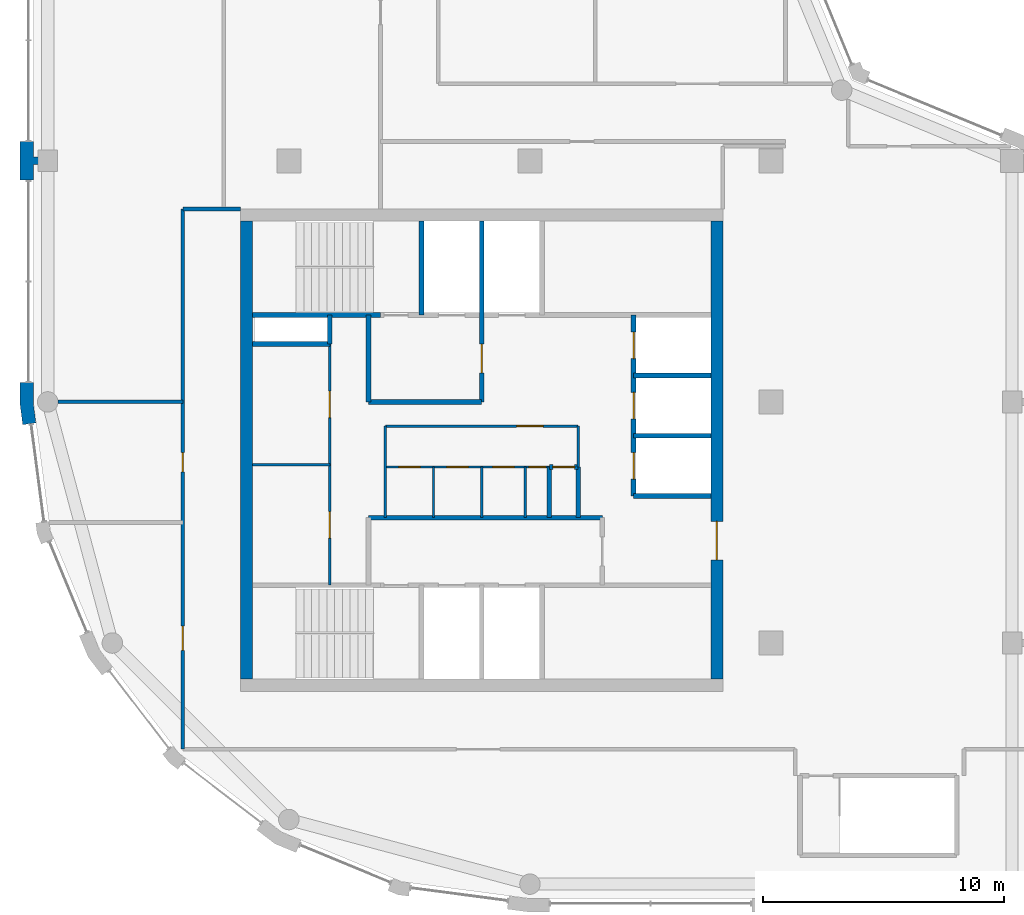
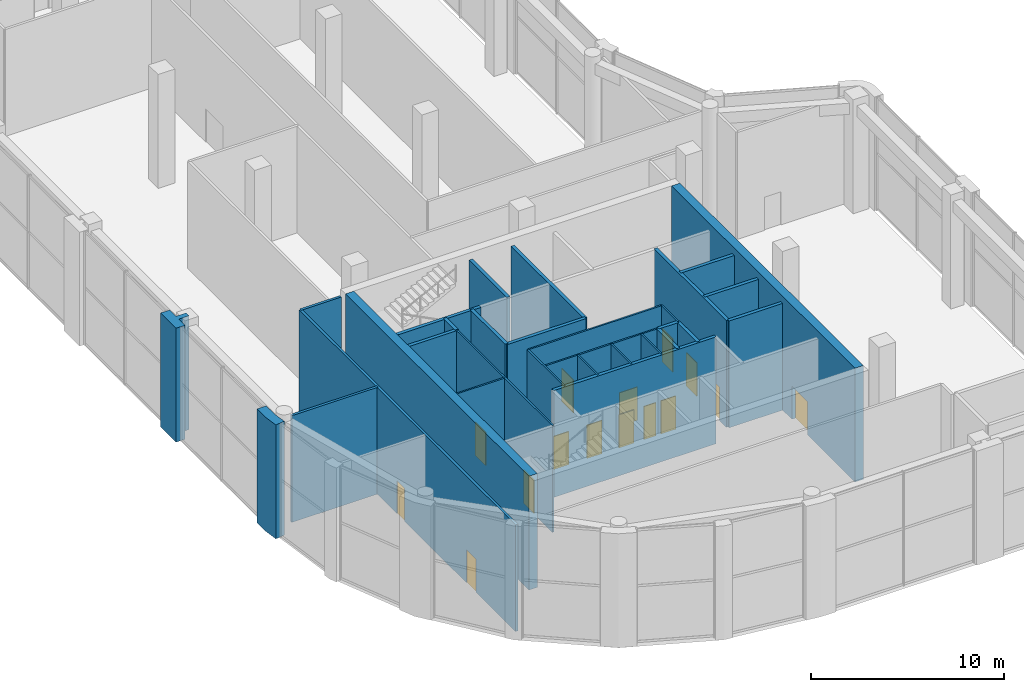
# One storey, part 11 of 14: 31 walls, 15 doors, 15 openings.
"""IFC4 building model written with IfcOpenShell, lengths in metres."""

from ifc_helpers import new_model, si_unit, direction, frame, frame_2d, origin, place, context, subcontext, project, spatial, polyline, rectangle, outline, extrude, material, layer, layer_set, type_object, element, fill, save


model = new_model("IFC4")

# Units and contexts
model_context = context("Model", 3, precision=1e-05, world=origin(), true_north=direction((0.0, 1.0)))
body_context = subcontext(model_context, "Body", "Model", "MODEL_VIEW")
ifc_project = project(units=[si_unit("LENGTHUNIT", "METRE"), si_unit("AREAUNIT", "SQUARE_METRE"), si_unit("VOLUMEUNIT", "CUBIC_METRE"), si_unit("PLANEANGLEUNIT", "RADIAN"), si_unit("MASSUNIT", "GRAM", prefix="KILO")], contexts=[model_context])

# Site, building, storey
site_placement = place(None, origin())
site = spatial("IfcSite", under=ifc_project, at=site_placement, CompositionType="ELEMENT")
building_placement = place(site_placement, origin())
building = spatial("IfcBuilding", under=site, at=building_placement, Name="Qaws Garden Tower", CompositionType="ELEMENT")
storey_placement = place(building_placement, frame((0.0, 0.0, 358.199951171875)))
storey = spatial("IfcBuildingStorey", under=building, at=storey_placement, Name="L87", CompositionType="ELEMENT", Elevation=358.199951171875)

# Walls
ifc_material_1 = material(Name="Clay facing brick masonry", Category="masonry")
ifc_layer_1 = layer(ifc_material_1, 0.550048828125)
ifc_layer_set_1 = layer_set([ifc_layer_1], Name="Clay facing brick masonry")
wall_type_1 = type_object("IfcWallType", Name="Brick pier 550 x 1600", PredefinedType="SOLIDWALL", material=ifc_layer_set_1)
placement = place(storey_placement, origin())
element("IfcWall", 1, at=placement, inside=storey, type_object=wall_type_1, Name="E-L87-pier-20", PredefinedType="SOLIDWALL", context=body_context, shape_type="SweptSolid", body=[
    extrude(outline(polyline([(-0.60009765625, 29.199951171875), (-0.60009765625, 29.85009765625), (0.0, 29.85009765625), (0.0, 30.14990234375), (-0.60009765625, 30.14990234375), (-0.60009765625, 30.800048828125), (-1.0, 30.800048828125), (-1.14990234375, 30.800048828125), (-1.14990234375, 30.0), (-1.14990234375, 29.199951171875), (-1.0, 29.199951171875), (-0.60009765625, 29.199951171875)])), origin(), (0.0, 0.0, 1.0), 7.199951171875),
])
element("IfcWall", 2, at=placement, inside=storey, type_object=wall_type_1, Name="E-L87-pier-21", PredefinedType="SOLIDWALL", context=body_context, shape_type="SweptSolid", body=[
    extrude(outline(polyline([(-1.0, 20.800048828125), (-1.14990234375, 20.800048828125), (-1.14990234375, 19.924560546875), (-1.03564453125, 19.056640625), (-0.886962890625, 19.076416015625), (-0.490478515625, 19.12841796875), (-0.60009765625, 19.960693359375), (-0.60009765625, 20.800048828125), (-1.0, 20.800048828125)])), origin(), (0.0, 0.0, 1.0), 7.199951171875),
])

# Wall, openings, doors
ifc_material_2 = material(Name="Plasterboard")
ifc_layer_2 = layer(ifc_material_2, 0.10009765625)
ifc_layer_set_2 = layer_set([ifc_layer_2], Name="Plasterboard")
wall_type_2 = type_object("IfcWallType", Name="Core partition 100", PredefinedType="PARTITIONING", material=ifc_layer_set_2)
wall_3_placement = place(storey_placement, frame((14.0, 17.300048828125, 0.0), z_axis=(0.0, 0.0, 1.0), x_axis=(1.0, 0.0, 0.0)))
wall_3 = element("IfcWall", 3, at=wall_3_placement, inside=storey, type_object=wall_type_2, Name="Core partition", PredefinedType="PARTITIONING", context=body_context, shape_type="SweptSolid", body=[
    extrude(rectangle(XDim=6.800048828125, YDim=0.10009765625, at=frame_2d((3.39990234375, 0.0))), origin(), (0.0, 0.0, 1.0), 6.75),
])
opening_1_placement = place(wall_3_placement, frame((0.550048828125, 0.0, 0.0)))
opening_1 = element("IfcOpeningElement", 4, at=opening_1_placement, cuts=wall_3, Name="Opening WD16", PredefinedType="OPENING", context=body_context, shape_type="SweptSolid", body=[
    extrude(rectangle(XDim=0.89990234375, YDim=2.10009765625, at=frame_2d((0.449951171875, 1.050048828125))), frame((0.0, 0.06005859375, 0.0), z_axis=(0.0, -1.0, 0.0), x_axis=(1.0, 0.0, 0.0)), (0.0, 0.0, 1.0), 0.1201171875),
])
opening_2_placement = place(wall_3_placement, frame((2.550048828125, 0.0, 0.0)))
opening_2 = element("IfcOpeningElement", 5, at=opening_2_placement, cuts=wall_3, Name="Opening WD17", PredefinedType="OPENING", context=body_context, shape_type="SweptSolid", body=[
    extrude(rectangle(XDim=0.89990234375, YDim=2.10009765625, at=frame_2d((0.449951171875, 1.050048828125))), frame((0.0, 0.06005859375, 0.0), z_axis=(0.0, -1.0, 0.0), x_axis=(1.0, 0.0, 0.0)), (0.0, 0.0, 1.0), 0.1201171875),
])
opening_3_placement = place(wall_3_placement, frame((4.449951171875, 0.0, 0.0)))
opening_3 = element("IfcOpeningElement", 6, at=opening_3_placement, cuts=wall_3, Name="Opening WD18", PredefinedType="OPENING", context=body_context, shape_type="SweptSolid", body=[
    extrude(rectangle(XDim=0.89990234375, YDim=2.10009765625, at=frame_2d((0.449951171875, 1.050048828125))), frame((0.0, 0.06005859375, 0.0), z_axis=(0.0, -1.0, 0.0), x_axis=(1.0, 0.0, 0.0)), (0.0, 0.0, 1.0), 0.1201171875),
])
opening_4_placement = place(wall_3_placement, frame((5.949951171875, 0.0, 0.0)))
opening_4 = element("IfcOpeningElement", 7, at=opening_4_placement, cuts=wall_3, Name="Opening XD19", PredefinedType="OPENING", context=body_context, shape_type="SweptSolid", body=[
    extrude(rectangle(XDim=0.699951171875, YDim=2.10009765625, at=frame_2d((0.35009765625, 1.050048828125))), frame((0.0, 0.06005859375, 0.0), z_axis=(0.0, -1.0, 0.0), x_axis=(1.0, 0.0, 0.0)), (0.0, 0.0, 1.0), 0.1201171875),
])
ifc_material_3 = material(Name="Timber", Category="wood")
door_type_1 = type_object("IfcDoorType", Name="Store door 700x2100", OperationType="SINGLE_SWING_LEFT", PredefinedType="DOOR", material=ifc_material_3)
door_1_placement = place(opening_4_placement, frame((0.699951171875, 0.0, 0.0), z_axis=(0.0, 0.0, 1.0), x_axis=(-1.0, 0.0, 0.0)))
door_1 = element("IfcDoor", 8, at=door_1_placement, inside=storey, type_object=door_type_1, Name="Cleaner's store door", OperationType="SINGLE_SWING_LEFT", OverallHeight=2.10009765625, OverallWidth=0.699951171875, PredefinedType="DOOR", context=body_context, shape_type="SweptSolid", body=[
    extrude(rectangle(XDim=0.699951171875, YDim=2.10009765625, at=frame_2d((0.35009765625, 1.050048828125))), frame((0.0, 0.02490234375, 0.0), z_axis=(0.0, -1.0, 0.0), x_axis=(1.0, 0.0, 0.0)), (0.0, 0.0, 1.0), 0.050048828125),
])
fill(opening_4, door_1)
ifc_material_4 = material(Name="Timber", Category="wood")
door_type_2 = type_object("IfcDoorType", Name="WC door 900x2100", OperationType="SINGLE_SWING_LEFT", PredefinedType="DOOR", material=ifc_material_4)
door_2_placement = place(opening_1_placement, frame((0.89990234375, 0.0, 0.0), z_axis=(0.0, 0.0, 1.0), x_axis=(-1.0, 0.0, 0.0)))
door_2 = element("IfcDoor", 9, at=door_2_placement, inside=storey, type_object=door_type_2, Name="Women's WC door", OperationType="SINGLE_SWING_LEFT", OverallHeight=2.10009765625, OverallWidth=0.89990234375, PredefinedType="DOOR", context=body_context, shape_type="SweptSolid", body=[
    extrude(rectangle(XDim=0.89990234375, YDim=2.10009765625, at=frame_2d((0.449951171875, 1.050048828125))), frame((0.0, 0.02490234375, 0.0), z_axis=(0.0, -1.0, 0.0), x_axis=(1.0, 0.0, 0.0)), (0.0, 0.0, 1.0), 0.050048828125),
])
fill(opening_1, door_2)
door_3_placement = place(opening_2_placement, frame((0.89990234375, 0.0, 0.0), z_axis=(0.0, 0.0, 1.0), x_axis=(-1.0, 0.0, 0.0)))
door_3 = element("IfcDoor", 10, at=door_3_placement, inside=storey, type_object=door_type_2, Name="Men's WC door", OperationType="SINGLE_SWING_LEFT", OverallHeight=2.10009765625, OverallWidth=0.89990234375, PredefinedType="DOOR", context=body_context, shape_type="SweptSolid", body=[
    extrude(rectangle(XDim=0.89990234375, YDim=2.10009765625, at=frame_2d((0.449951171875, 1.050048828125))), frame((0.0, 0.02490234375, 0.0), z_axis=(0.0, -1.0, 0.0), x_axis=(1.0, 0.0, 0.0)), (0.0, 0.0, 1.0), 0.050048828125),
])
fill(opening_2, door_3)
door_4_placement = place(opening_3_placement, frame((0.89990234375, 0.0, 0.0), z_axis=(0.0, 0.0, 1.0), x_axis=(-1.0, 0.0, 0.0)))
door_4 = element("IfcDoor", 11, at=door_4_placement, inside=storey, type_object=door_type_2, Name="Accessible WC door", OperationType="SINGLE_SWING_LEFT", OverallHeight=2.10009765625, OverallWidth=0.89990234375, PredefinedType="DOOR", context=body_context, shape_type="SweptSolid", body=[
    extrude(rectangle(XDim=0.89990234375, YDim=2.10009765625, at=frame_2d((0.449951171875, 1.050048828125))), frame((0.0, 0.02490234375, 0.0), z_axis=(0.0, -1.0, 0.0), x_axis=(1.0, 0.0, 0.0)), (0.0, 0.0, 1.0), 0.050048828125),
])
fill(opening_3, door_4)

# Wall
wall_4_placement = place(storey_placement, frame((8.5, 17.39990234375, 0.0), z_axis=(0.0, 0.0, 1.0), x_axis=(1.0, 0.0, 0.0)))
element("IfcWall", 12, at=wall_4_placement, inside=storey, type_object=wall_type_2, Name="Core partition", PredefinedType="PARTITIONING", context=body_context, shape_type="SweptSolid", body=[
    extrude(rectangle(XDim=3.199951171875, YDim=0.10009765625, at=frame_2d((1.60009765625, 0.0))), origin(), (0.0, 0.0, 1.0), 6.75),
])

# Wall, opening, door
wall_5_placement = place(storey_placement, frame((14.0, 19.0, 0.0), z_axis=(0.0, 0.0, 1.0), x_axis=(1.0, 0.0, 0.0)))
wall_5 = element("IfcWall", 13, at=wall_5_placement, inside=storey, type_object=wall_type_2, Name="Core partition", PredefinedType="PARTITIONING", context=body_context, shape_type="SweptSolid", body=[
    extrude(rectangle(XDim=8.0, YDim=0.10009765625, at=frame_2d((4.0, 0.0))), origin(), (0.0, 0.0, 1.0), 6.75),
])
opening_5_placement = place(wall_5_placement, frame((5.449951171875, 0.0, 0.0)))
opening_5 = element("IfcOpeningElement", 14, at=opening_5_placement, cuts=wall_5, Name="Opening WL15", PredefinedType="OPENING", context=body_context, shape_type="SweptSolid", body=[
    extrude(rectangle(XDim=1.10009765625, YDim=2.10009765625, at=frame_2d((0.550048828125, 1.050048828125))), frame((0.0, 0.06005859375, 0.0), z_axis=(0.0, -1.0, 0.0), x_axis=(1.0, 0.0, 0.0)), (0.0, 0.0, 1.0), 0.1201171875),
])
ifc_material_5 = material(Name="Timber", Category="wood")
door_type_3 = type_object("IfcDoorType", Name="WC lobby door 1100x2100", OperationType="SINGLE_SWING_LEFT", PredefinedType="DOOR", material=ifc_material_5)
door_5_placement = place(opening_5_placement, frame((1.10009765625, 0.0, 0.0), z_axis=(0.0, 0.0, 1.0), x_axis=(-1.0, 0.0, 0.0)))
door_5 = element("IfcDoor", 15, at=door_5_placement, inside=storey, type_object=door_type_3, Name="WC lobby door", OperationType="SINGLE_SWING_LEFT", OverallHeight=2.10009765625, OverallWidth=1.10009765625, PredefinedType="DOOR", context=body_context, shape_type="SweptSolid", body=[
    extrude(rectangle(XDim=1.10009765625, YDim=2.10009765625, at=frame_2d((0.550048828125, 1.050048828125))), frame((0.0, 0.02490234375, 0.0), z_axis=(0.0, -1.0, 0.0), x_axis=(1.0, 0.0, 0.0)), (0.0, 0.0, 1.0), 0.050048828125),
])
fill(opening_5, door_5)

# Wall, openings, doors
wall_6_placement = place(storey_placement, frame((11.699951171875, 12.39990234375, 0.0), z_axis=(0.0, 0.0, 1.0), x_axis=(0.0, 1.0, 0.0)))
wall_6 = element("IfcWall", 16, at=wall_6_placement, inside=storey, type_object=wall_type_2, Name="Core partition", PredefinedType="PARTITIONING", context=body_context, shape_type="SweptSolid", body=[
    extrude(rectangle(XDim=10.0, YDim=0.10009765625, at=frame_2d((5.0, 0.0))), origin(), (0.0, 0.0, 1.0), 6.75),
])
opening_6_placement = place(wall_6_placement, frame((1.949951171875, 0.0, 0.0)))
opening_6 = element("IfcOpeningElement", 17, at=opening_6_placement, cuts=wall_6, Name="Opening XD24", PredefinedType="OPENING", context=body_context, shape_type="SweptSolid", body=[
    extrude(rectangle(XDim=1.10009765625, YDim=2.10009765625, at=frame_2d((0.550048828125, 1.050048828125))), frame((0.0, 0.06005859375, 0.0), z_axis=(0.0, -1.0, 0.0), x_axis=(1.0, 0.0, 0.0)), (0.0, 0.0, 1.0), 0.1201171875),
])
opening_7_placement = place(wall_6_placement, frame((6.949951171875, 0.0, 0.0)))
opening_7 = element("IfcOpeningElement", 18, at=opening_7_placement, cuts=wall_6, Name="Opening XD25", PredefinedType="OPENING", context=body_context, shape_type="SweptSolid", body=[
    extrude(rectangle(XDim=1.10009765625, YDim=2.10009765625, at=frame_2d((0.550048828125, 1.050048828125))), frame((0.0, 0.06005859375, 0.0), z_axis=(0.0, -1.0, 0.0), x_axis=(1.0, 0.0, 0.0)), (0.0, 0.0, 1.0), 0.1201171875),
])
door_6_placement = place(opening_6_placement, origin())
door_6 = element("IfcDoor", 19, at=door_6_placement, inside=storey, type_object=door_type_3, Name="Pantry door", OperationType="SINGLE_SWING_RIGHT", OverallHeight=2.10009765625, OverallWidth=1.10009765625, PredefinedType="DOOR", context=body_context, shape_type="SweptSolid", body=[
    extrude(rectangle(XDim=1.10009765625, YDim=2.10009765625, at=frame_2d((0.550048828125, 1.050048828125))), frame((0.0, 0.02490234375, 0.0), z_axis=(0.0, -1.0, 0.0), x_axis=(1.0, 0.0, 0.0)), (0.0, 0.0, 1.0), 0.050048828125),
])
fill(opening_6, door_6)
door_7_placement = place(opening_7_placement, origin())
door_7 = element("IfcDoor", 20, at=door_7_placement, inside=storey, type_object=door_type_3, Name="Telecommunications room door", OperationType="SINGLE_SWING_RIGHT", OverallHeight=2.10009765625, OverallWidth=1.10009765625, PredefinedType="DOOR", context=body_context, shape_type="SweptSolid", body=[
    extrude(rectangle(XDim=1.10009765625, YDim=2.10009765625, at=frame_2d((0.550048828125, 1.050048828125))), frame((0.0, 0.02490234375, 0.0), z_axis=(0.0, -1.0, 0.0), x_axis=(1.0, 0.0, 0.0)), (0.0, 0.0, 1.0), 0.050048828125),
])
fill(opening_7, door_7)

# Walls
wall_7_placement = place(storey_placement, frame((14.0, 15.199951171875, 0.0), z_axis=(0.0, 0.0, 1.0), x_axis=(0.0, 1.0, 0.0)))
element("IfcWall", 21, at=wall_7_placement, inside=storey, type_object=wall_type_2, Name="Core partition", PredefinedType="PARTITIONING", context=body_context, shape_type="SweptSolid", body=[
    extrude(rectangle(XDim=3.800048828125, YDim=0.10009765625, at=frame_2d((1.89990234375, 0.0))), origin(), (0.0, 0.0, 1.0), 6.75),
])
for number, where, z_axis, x_axis, name in (
    (22, (16.0, 15.199951171875, 0.0), (0.0, 0.0, 1.0), (0.0, 1.0, 0.0), "Core partition"),
    (23, (18.0, 15.199951171875, 0.0), (0.0, 0.0, 1.0), (0.0, 1.0, 0.0), "Core partition"),
    (24, (19.800048828125, 15.199951171875, 0.0), (0.0, 0.0, 1.0), (0.0, 1.0, 0.0), "Core partition"),
):
    element("IfcWall", number, at=place(storey_placement, frame(where, z_axis=z_axis, x_axis=x_axis)), inside=storey, type_object=wall_type_2, Name=name, PredefinedType="PARTITIONING", context=body_context, shape_type="SweptSolid", body=[
        extrude(rectangle(XDim=2.10009765625, YDim=0.10009765625, at=frame_2d((1.050048828125, 0.0))), origin(), (0.0, 0.0, 1.0), 6.75),
    ])
wall_8_placement = place(storey_placement, frame((22.0, 17.300048828125, 0.0), z_axis=(0.0, 0.0, 1.0), x_axis=(0.0, 1.0, 0.0)))
element("IfcWall", 25, at=wall_8_placement, inside=storey, type_object=wall_type_2, Name="Core partition", PredefinedType="PARTITIONING", context=body_context, shape_type="SweptSolid", body=[
    extrude(rectangle(XDim=1.699951171875, YDim=0.10009765625, at=frame_2d((0.85009765625, 0.0))), origin(), (0.0, 0.0, 1.0), 6.75),
])
ifc_material_6 = material(Name="Concrete C60", Category="concrete")
ifc_layer_3 = layer(ifc_material_6, 0.199951171875)
ifc_layer_set_3 = layer_set([ifc_layer_3], Name="Concrete C60")
wall_type_3 = type_object("IfcWallType", Name="Core shaft wall 200 C60", PredefinedType="SHEAR", material=ifc_layer_set_3)
wall_9_placement = place(storey_placement, frame((13.300048828125, 15.199951171875, 0.0), z_axis=(0.0, 0.0, 1.0), x_axis=(1.0, 0.0, 0.0)))
element("IfcWall", 26, at=wall_9_placement, inside=storey, type_object=wall_type_3, Name="Shaft wall", PredefinedType="SHEAR", context=body_context, shape_type="SweptSolid", body=[
    extrude(rectangle(XDim=9.699951171875, YDim=0.199951171875, at=frame_2d((4.85009765625, 0.0))), origin(), (0.0, 0.0, 1.0), 6.75),
])
wall_10_placement = place(storey_placement, frame((24.300048828125, 16.10009765625, 0.0), z_axis=(0.0, 0.0, 1.0), x_axis=(1.0, 0.0, 0.0)))
element("IfcWall", 27, at=wall_10_placement, inside=storey, type_object=wall_type_3, Name="Shaft wall", PredefinedType="SHEAR", context=body_context, shape_type="SweptSolid", body=[
    extrude(rectangle(XDim=3.199951171875, YDim=0.199951171875, at=frame_2d((1.60009765625, 0.0))), origin(), (0.0, 0.0, 1.0), 6.75),
])

# Wall, opening, door
wall_11_placement = place(storey_placement, frame((20.800048828125, 17.300048828125, 0.0), z_axis=(0.0, 0.0, 1.0), x_axis=(1.0, 0.0, 0.0)))
wall_11 = element("IfcWall", 28, at=wall_11_placement, inside=storey, type_object=wall_type_3, Name="Shaft wall", PredefinedType="SHEAR", context=body_context, shape_type="SweptSolid", body=[
    extrude(rectangle(XDim=1.199951171875, YDim=0.199951171875, at=frame_2d((0.60009765625, 0.0))), origin(), (0.0, 0.0, 1.0), 6.75),
])
opening_8_placement = place(wall_11_placement, frame((0.14990234375, 0.0, 0.0)))
opening_8 = element("IfcOpeningElement", 29, at=opening_8_placement, cuts=wall_11, Name="Opening WD20", PredefinedType="OPENING", context=body_context, shape_type="SweptSolid", body=[
    extrude(rectangle(XDim=0.89990234375, YDim=2.10009765625, at=frame_2d((0.449951171875, 1.050048828125))), frame((0.0, 0.10986328125, 0.0), z_axis=(0.0, -1.0, 0.0), x_axis=(1.0, 0.0, 0.0)), (0.0, 0.0, 1.0), 0.219970703125),
])
door_8_placement = place(opening_8_placement, frame((0.89990234375, 0.0, 0.0), z_axis=(0.0, 0.0, 1.0), x_axis=(-1.0, 0.0, 0.0)))
door_8 = element("IfcDoor", 30, at=door_8_placement, inside=storey, type_object=door_type_2, Name="Telecom riser door", OperationType="SINGLE_SWING_LEFT", OverallHeight=2.10009765625, OverallWidth=0.89990234375, PredefinedType="DOOR", context=body_context, shape_type="SweptSolid", body=[
    extrude(rectangle(XDim=0.89990234375, YDim=2.10009765625, at=frame_2d((0.449951171875, 1.050048828125))), frame((0.0, 0.02490234375, 0.0), z_axis=(0.0, -1.0, 0.0), x_axis=(1.0, 0.0, 0.0)), (0.0, 0.0, 1.0), 0.050048828125),
])
fill(opening_8, door_8)

# Walls
wall_12_placement = place(storey_placement, frame((24.300048828125, 18.60009765625, 0.0), z_axis=(0.0, 0.0, 1.0), x_axis=(1.0, 0.0, 0.0)))
element("IfcWall", 31, at=wall_12_placement, inside=storey, type_object=wall_type_3, Name="Shaft wall", PredefinedType="SHEAR", context=body_context, shape_type="SweptSolid", body=[
    extrude(rectangle(XDim=3.199951171875, YDim=0.199951171875, at=frame_2d((1.60009765625, 0.0))), origin(), (0.0, 0.0, 1.0), 6.75),
])
wall_13_placement = place(storey_placement, frame((13.300048828125, 20.0, 0.0), z_axis=(0.0, 0.0, 1.0), x_axis=(1.0, 0.0, 0.0)))
element("IfcWall", 32, at=wall_13_placement, inside=storey, type_object=wall_type_3, Name="Shaft wall", PredefinedType="SHEAR", context=body_context, shape_type="SweptSolid", body=[
    extrude(rectangle(XDim=4.699951171875, YDim=0.199951171875, at=frame_2d((2.35009765625, 0.0))), origin(), (0.0, 0.0, 1.0), 6.75),
])
for number, where, z_axis, x_axis, name in (
    (33, (24.300048828125, 21.10009765625, 0.0), (0.0, 0.0, 1.0), (1.0, 0.0, 0.0), "Shaft wall"),
    (34, (8.5, 22.39990234375, 0.0), (0.0, 0.0, 1.0), (1.0, 0.0, 0.0), "Shaft wall"),
):
    element("IfcWall", number, at=place(storey_placement, frame(where, z_axis=z_axis, x_axis=x_axis)), inside=storey, type_object=wall_type_3, Name=name, PredefinedType="SHEAR", context=body_context, shape_type="SweptSolid", body=[
        extrude(rectangle(XDim=3.199951171875, YDim=0.199951171875, at=frame_2d((1.60009765625, 0.0))), origin(), (0.0, 0.0, 1.0), 6.75),
    ])
wall_14_placement = place(storey_placement, frame((8.5, 23.60009765625, 0.0), z_axis=(0.0, 0.0, 1.0), x_axis=(1.0, 0.0, 0.0)))
element("IfcWall", 35, at=wall_14_placement, inside=storey, type_object=wall_type_3, Name="Shaft wall", PredefinedType="SHEAR", context=body_context, shape_type="SweptSolid", body=[
    extrude(rectangle(XDim=5.300048828125, YDim=0.199951171875, at=frame_2d((2.64990234375, 0.0))), origin(), (0.0, 0.0, 1.0), 6.75),
])
wall_15_placement = place(storey_placement, frame((11.699951171875, 22.39990234375, 0.0), z_axis=(0.0, 0.0, 1.0), x_axis=(0.0, 1.0, 0.0)))
element("IfcWall", 36, at=wall_15_placement, inside=storey, type_object=wall_type_3, Name="Shaft wall", PredefinedType="SHEAR", context=body_context, shape_type="SweptSolid", body=[
    extrude(rectangle(XDim=1.2001953125, YDim=0.199951171875, at=frame_2d((0.60009765625, 0.0))), origin(), (0.0, 0.0, 1.0), 6.75),
])
wall_16_placement = place(storey_placement, frame((13.300048828125, 20.0, 0.0), z_axis=(0.0, 0.0, 1.0), x_axis=(0.0, 1.0, 0.0)))
element("IfcWall", 37, at=wall_16_placement, inside=storey, type_object=wall_type_3, Name="Shaft wall", PredefinedType="SHEAR", context=body_context, shape_type="SweptSolid", body=[
    extrude(rectangle(XDim=3.60009765625, YDim=0.199951171875, at=frame_2d((1.800048828125, 0.0))), origin(), (0.0, 0.0, 1.0), 6.75),
])
wall_17_placement = place(storey_placement, frame((15.5, 23.60009765625, 0.0), z_axis=(0.0, 0.0, 1.0), x_axis=(0.0, 1.0, 0.0)))
element("IfcWall", 38, at=wall_17_placement, inside=storey, type_object=wall_type_3, Name="Shaft wall", PredefinedType="SHEAR", context=body_context, shape_type="SweptSolid", body=[
    extrude(rectangle(XDim=3.89990234375, YDim=0.199951171875, at=frame_2d((1.949951171875, 0.0))), origin(), (0.0, 0.0, 1.0), 6.75),
])

# Wall, opening, door
wall_18_placement = place(storey_placement, frame((18.0, 20.0, 0.0), z_axis=(0.0, 0.0, 1.0), x_axis=(0.0, 1.0, 0.0)))
wall_18 = element("IfcWall", 39, at=wall_18_placement, inside=storey, type_object=wall_type_3, Name="Shaft wall", PredefinedType="SHEAR", context=body_context, shape_type="SweptSolid", body=[
    extrude(rectangle(XDim=7.5, YDim=0.199951171875, at=frame_2d((3.75, 0.0))), origin(), (0.0, 0.0, 1.0), 6.75),
])
opening_9_placement = place(wall_18_placement, frame((1.199951171875, 0.0, 0.0)))
opening_9 = element("IfcOpeningElement", 40, at=opening_9_placement, cuts=wall_18, Name="Opening FD14", PredefinedType="OPENING", context=body_context, shape_type="SweptSolid", body=[
    extrude(rectangle(XDim=1.199951171875, YDim=2.10009765625, at=frame_2d((0.60009765625, 1.050048828125))), frame((0.0, 0.10986328125, 0.0), z_axis=(0.0, -1.0, 0.0), x_axis=(1.0, 0.0, 0.0)), (0.0, 0.0, 1.0), 0.219970703125),
])
ifc_material_7 = material(Name="Steel S235", Category="steel")
door_type_4 = type_object("IfcDoorType", Name="Lobby door 1200x2100", OperationType="DOUBLE_DOOR_SINGLE_SWING", PredefinedType="DOOR", material=ifc_material_7)
door_9_placement = place(opening_9_placement, origin())
door_9 = element("IfcDoor", 41, at=door_9_placement, inside=storey, type_object=door_type_4, Name="Fire-fighting lobby door", OperationType="DOUBLE_DOOR_SINGLE_SWING", OverallHeight=2.10009765625, OverallWidth=1.199951171875, PredefinedType="DOOR", context=body_context, shape_type="SweptSolid", body=[
    extrude(rectangle(XDim=1.199951171875, YDim=2.10009765625, at=frame_2d((0.60009765625, 1.050048828125))), frame((0.0, 0.02490234375, 0.0), z_axis=(0.0, -1.0, 0.0), x_axis=(1.0, 0.0, 0.0)), (0.0, 0.0, 1.0), 0.050048828125),
])
fill(opening_9, door_9)

# Walls
for number, where, z_axis, x_axis, name in (
    (42, (20.800048828125, 15.199951171875, 0.0), (0.0, 0.0, 1.0), (0.0, 1.0, 0.0), "Shaft wall"),
    (43, (22.0, 15.199951171875, 0.0), (0.0, 0.0, 1.0), (0.0, 1.0, 0.0), "Shaft wall"),
):
    element("IfcWall", number, at=place(storey_placement, frame(where, z_axis=z_axis, x_axis=x_axis)), inside=storey, type_object=wall_type_3, Name=name, PredefinedType="SHEAR", context=body_context, shape_type="SweptSolid", body=[
        extrude(rectangle(XDim=2.10009765625, YDim=0.199951171875, at=frame_2d((1.050048828125, 0.0))), origin(), (0.0, 0.0, 1.0), 6.75),
    ])

# Wall, openings, doors
wall_19_placement = place(storey_placement, frame((24.300048828125, 16.10009765625, 0.0), z_axis=(0.0, 0.0, 1.0), x_axis=(0.0, 1.0, 0.0)))
wall_19 = element("IfcWall", 44, at=wall_19_placement, inside=storey, type_object=wall_type_3, Name="Shaft wall", PredefinedType="SHEAR", context=body_context, shape_type="SweptSolid", body=[
    extrude(rectangle(XDim=7.5, YDim=0.199951171875, at=frame_2d((3.75, 0.0))), origin(), (0.0, 0.0, 1.0), 6.75),
])
opening_10_placement = place(wall_19_placement, frame((0.699951171875, 0.0, 0.0)))
opening_10 = element("IfcOpeningElement", 45, at=opening_10_placement, cuts=wall_19, Name="Opening LD01", PredefinedType="OPENING", context=body_context, shape_type="SweptSolid", body=[
    extrude(rectangle(XDim=1.10009765625, YDim=2.10009765625, at=frame_2d((0.550048828125, 1.050048828125))), frame((0.0, 0.10986328125, 0.0), z_axis=(0.0, -1.0, 0.0), x_axis=(1.0, 0.0, 0.0)), (0.0, 0.0, 1.0), 0.219970703125),
])
opening_11_placement = place(wall_19_placement, frame((3.199951171875, 0.0, 0.0)))
opening_11 = element("IfcOpeningElement", 46, at=opening_11_placement, cuts=wall_19, Name="Opening LD02", PredefinedType="OPENING", context=body_context, shape_type="SweptSolid", body=[
    extrude(rectangle(XDim=1.10009765625, YDim=2.10009765625, at=frame_2d((0.550048828125, 1.050048828125))), frame((0.0, 0.10986328125, 0.0), z_axis=(0.0, -1.0, 0.0), x_axis=(1.0, 0.0, 0.0)), (0.0, 0.0, 1.0), 0.219970703125),
])
opening_12_placement = place(wall_19_placement, frame((5.699951171875, 0.0, 0.0)))
opening_12 = element("IfcOpeningElement", 47, at=opening_12_placement, cuts=wall_19, Name="Opening LD03", PredefinedType="OPENING", context=body_context, shape_type="SweptSolid", body=[
    extrude(rectangle(XDim=1.10009765625, YDim=2.10009765625, at=frame_2d((0.550048828125, 1.050048828125))), frame((0.0, 0.10986328125, 0.0), z_axis=(0.0, -1.0, 0.0), x_axis=(1.0, 0.0, 0.0)), (0.0, 0.0, 1.0), 0.219970703125),
])
ifc_material_8 = material(Name="Steel S235", Category="steel")
door_type_5 = type_object("IfcDoorType", Name="Landing door 1100x2100", OperationType="DOUBLE_DOOR_SLIDING", PredefinedType="DOOR", material=ifc_material_8)
door_10_placement = place(opening_10_placement, origin())
door_10 = element("IfcDoor", 48, at=door_10_placement, inside=storey, type_object=door_type_5, Name="Lift E1 landing door", OperationType="DOUBLE_DOOR_SLIDING", OverallHeight=2.10009765625, OverallWidth=1.10009765625, PredefinedType="DOOR", context=body_context, shape_type="SweptSolid", body=[
    extrude(rectangle(XDim=1.10009765625, YDim=2.10009765625, at=frame_2d((0.550048828125, 1.050048828125))), frame((0.0, 0.02490234375, 0.0), z_axis=(0.0, -1.0, 0.0), x_axis=(1.0, 0.0, 0.0)), (0.0, 0.0, 1.0), 0.050048828125),
])
fill(opening_10, door_10)
door_11_placement = place(opening_11_placement, origin())
door_11 = element("IfcDoor", 49, at=door_11_placement, inside=storey, type_object=door_type_5, Name="Lift E2 landing door", OperationType="DOUBLE_DOOR_SLIDING", OverallHeight=2.10009765625, OverallWidth=1.10009765625, PredefinedType="DOOR", context=body_context, shape_type="SweptSolid", body=[
    extrude(rectangle(XDim=1.10009765625, YDim=2.10009765625, at=frame_2d((0.550048828125, 1.050048828125))), frame((0.0, 0.02490234375, 0.0), z_axis=(0.0, -1.0, 0.0), x_axis=(1.0, 0.0, 0.0)), (0.0, 0.0, 1.0), 0.050048828125),
])
fill(opening_11, door_11)
door_12_placement = place(opening_12_placement, origin())
door_12 = element("IfcDoor", 50, at=door_12_placement, inside=storey, type_object=door_type_5, Name="Lift E3 landing door", OperationType="DOUBLE_DOOR_SLIDING", OverallHeight=2.10009765625, OverallWidth=1.10009765625, PredefinedType="DOOR", context=body_context, shape_type="SweptSolid", body=[
    extrude(rectangle(XDim=1.10009765625, YDim=2.10009765625, at=frame_2d((0.550048828125, 1.050048828125))), frame((0.0, 0.02490234375, 0.0), z_axis=(0.0, -1.0, 0.0), x_axis=(1.0, 0.0, 0.0)), (0.0, 0.0, 1.0), 0.050048828125),
])
fill(opening_12, door_12)

# Wall, opening, door
ifc_material_9 = material(Name="Concrete C60", Category="concrete")
ifc_layer_4 = layer(ifc_material_9, 0.5)
ifc_layer_set_4 = layer_set([ifc_layer_4], Name="Concrete C60")
wall_type_4 = type_object("IfcWallType", Name="Core wall 500 C60", PredefinedType="SHEAR", material=ifc_layer_set_4)
wall_20_placement = place(storey_placement, frame((27.75, 8.5, 0.0), z_axis=(0.0, 0.0, 1.0), x_axis=(0.0, 1.0, 0.0)))
wall_20 = element("IfcWall", 51, at=wall_20_placement, inside=storey, type_object=wall_type_4, Name="Core wall L87 east", PredefinedType="SHEAR", context=body_context, shape_type="SweptSolid", body=[
    extrude(rectangle(XDim=19.0, YDim=0.5, at=frame_2d((9.5, 0.0))), origin(), (0.0, 0.0, 1.0), 7.199951171875),
])
opening_13_placement = place(wall_20_placement, frame((4.949951171875, 0.0, 0.0)))
opening_13 = element("IfcOpeningElement", 52, at=opening_13_placement, cuts=wall_20, Name="Opening ED23", PredefinedType="OPENING", context=body_context, shape_type="SweptSolid", body=[
    extrude(rectangle(XDim=1.60009765625, YDim=2.10009765625, at=frame_2d((0.800048828125, 1.050048828125))), frame((0.0, 0.260009765625, 0.0), z_axis=(0.0, -1.0, 0.0), x_axis=(1.0, 0.0, 0.0)), (0.0, 0.0, 1.0), 0.52001953125),
])
ifc_material_10 = material(Name="Steel S235", Category="steel")
door_type_6 = type_object("IfcDoorType", Name="Core entrance door 1600x2100", OperationType="DOUBLE_DOOR_SINGLE_SWING", PredefinedType="DOOR", material=ifc_material_10)
door_13_placement = place(opening_13_placement, frame((1.60009765625, 0.0, 0.0), z_axis=(0.0, 0.0, 1.0), x_axis=(-1.0, 0.0, 0.0)))
door_13 = element("IfcDoor", 53, at=door_13_placement, inside=storey, type_object=door_type_6, Name="Core entrance door", OperationType="DOUBLE_DOOR_SINGLE_SWING", OverallHeight=2.10009765625, OverallWidth=1.60009765625, PredefinedType="DOOR", context=body_context, shape_type="SweptSolid", body=[
    extrude(rectangle(XDim=1.60009765625, YDim=2.10009765625, at=frame_2d((0.800048828125, 1.050048828125))), frame((0.0, 0.02490234375, 0.0), z_axis=(0.0, -1.0, 0.0), x_axis=(1.0, 0.0, 0.0)), (0.0, 0.0, 1.0), 0.050048828125),
])
fill(opening_13, door_13)

# Wall
wall_21_placement = place(storey_placement, frame((8.25, 27.5, 0.0), z_axis=(0.0, 0.0, 1.0), x_axis=(0.0, -1.0, 0.0)))
element("IfcWall", 54, at=wall_21_placement, inside=storey, type_object=wall_type_4, Name="Core wall L87 west", PredefinedType="SHEAR", context=body_context, shape_type="SweptSolid", body=[
    extrude(rectangle(XDim=19.0, YDim=0.5, at=frame_2d((9.5, 0.0))), origin(), (0.0, 0.0, 1.0), 7.199951171875),
])

# Wall, openings, doors
ifc_material_11 = material(Name="Gypsum board partition")
ifc_layer_5 = layer(ifc_material_11, 0.14990234375)
ifc_layer_set_5 = layer_set([ifc_layer_5], Name="Gypsum board partition")
wall_type_5 = type_object("IfcWallType", Name="PARTITION 150 EI 60", PredefinedType="PARTITIONING", material=ifc_layer_set_5)
wall_22_placement = place(storey_placement, frame((5.60009765625, 5.60009765625, 0.0), z_axis=(0.0, 0.0, 1.0), x_axis=(0.0, 1.0, 0.0)))
wall_22 = element("IfcWall", 55, at=wall_22_placement, inside=storey, type_object=wall_type_5, Name="O-L87-wall-002", PredefinedType="PARTITIONING", context=body_context, shape_type="SweptSolid", body=[
    extrude(rectangle(XDim=22.39990234375, YDim=0.14990234375, at=frame_2d((11.199951171875, 0.0))), origin(), (0.0, 0.0, 1.0), 6.75),
])
opening_14_placement = place(wall_22_placement, frame((4.10009765625, 0.0, 0.0)))
opening_14 = element("IfcOpeningElement", 56, at=opening_14_placement, cuts=wall_22, Name="Opening OB01", PredefinedType="OPENING", context=body_context, shape_type="SweptSolid", body=[
    extrude(rectangle(XDim=1.0, YDim=2.10009765625, at=frame_2d((0.5, 1.050048828125))), frame((0.0, 0.0849609375, 0.0), z_axis=(0.0, -1.0, 0.0), x_axis=(1.0, 0.0, 0.0)), (0.0, 0.0, 1.0), 0.169921875),
])
opening_15_placement = place(wall_22_placement, frame((11.5, 0.0, 0.0)))
opening_15 = element("IfcOpeningElement", 57, at=opening_15_placement, cuts=wall_22, Name="Opening OB02", PredefinedType="OPENING", context=body_context, shape_type="SweptSolid", body=[
    extrude(rectangle(XDim=0.800048828125, YDim=2.10009765625, at=frame_2d((0.39990234375, 1.050048828125))), frame((0.0, 0.0849609375, 0.0), z_axis=(0.0, -1.0, 0.0), x_axis=(1.0, 0.0, 0.0)), (0.0, 0.0, 1.0), 0.169921875),
])
ifc_material_12 = material(Name="Timber door leaf", Category="wood")
door_type_7 = type_object("IfcDoorType", Name="STORE DOOR 800 X 2100", OperationType="SINGLE_SWING_LEFT", PredefinedType="DOOR", material=ifc_material_12)
door_14_placement = place(opening_15_placement, origin())
door_14 = element("IfcDoor", 58, at=door_14_placement, inside=storey, type_object=door_type_7, Name="O-L87-door-002", OperationType="SINGLE_SWING_RIGHT", OverallHeight=2.10009765625, OverallWidth=0.800048828125, PredefinedType="DOOR", context=body_context, shape_type="SweptSolid", body=[
    extrude(rectangle(XDim=0.800048828125, YDim=2.10009765625, at=frame_2d((0.39990234375, 1.050048828125))), frame((0.0, 0.02490234375, 0.0), z_axis=(0.0, -1.0, 0.0), x_axis=(1.0, 0.0, 0.0)), (0.0, 0.0, 1.0), 0.050048828125),
])
fill(opening_15, door_14)
ifc_material_13 = material(Name="Timber door leaf", Category="wood")
door_type_8 = type_object("IfcDoorType", Name="TENANCY ENTRANCE DOOR 1000 X 2100", OperationType="SINGLE_SWING_LEFT", PredefinedType="DOOR", material=ifc_material_13)
door_15_placement = place(opening_14_placement, origin())
door_15 = element("IfcDoor", 59, at=door_15_placement, inside=storey, type_object=door_type_8, Name="O-L87-door-001", OperationType="SINGLE_SWING_RIGHT", OverallHeight=2.10009765625, OverallWidth=1.0, PredefinedType="DOOR", context=body_context, shape_type="SweptSolid", body=[
    extrude(rectangle(XDim=1.0, YDim=2.10009765625, at=frame_2d((0.5, 1.050048828125))), frame((0.0, 0.02490234375, 0.0), z_axis=(0.0, -1.0, 0.0), x_axis=(1.0, 0.0, 0.0)), (0.0, 0.0, 1.0), 0.050048828125),
])
fill(opening_14, door_15)

# Walls
wall_23_placement = place(storey_placement, frame((0.425048828125, 20.0, 0.0), z_axis=(0.0, 0.0, 1.0), x_axis=(1.0, 0.0, 0.0)))
element("IfcWall", 60, at=wall_23_placement, inside=storey, type_object=wall_type_5, Name="O-L87-wall-018", PredefinedType="PARTITIONING", context=body_context, shape_type="SweptSolid", body=[
    extrude(rectangle(XDim=5.175048828125, YDim=0.14990234375, at=frame_2d((2.58740234375, 0.0))), origin(), (0.0, 0.0, 1.0), 6.75),
])
wall_24_placement = place(storey_placement, frame((5.60009765625, 28.0, 0.0), z_axis=(0.0, 0.0, 1.0), x_axis=(1.0, 0.0, 0.0)))
element("IfcWall", 61, at=wall_24_placement, inside=storey, type_object=wall_type_5, Name="O-L87-wall-019", PredefinedType="PARTITIONING", context=body_context, shape_type="SweptSolid", body=[
    extrude(rectangle(XDim=2.39990234375, YDim=0.14990234375, at=frame_2d((1.199951171875, 0.0))), origin(), (0.0, 0.0, 1.0), 6.75),
])

save(model, "model.ifc")
